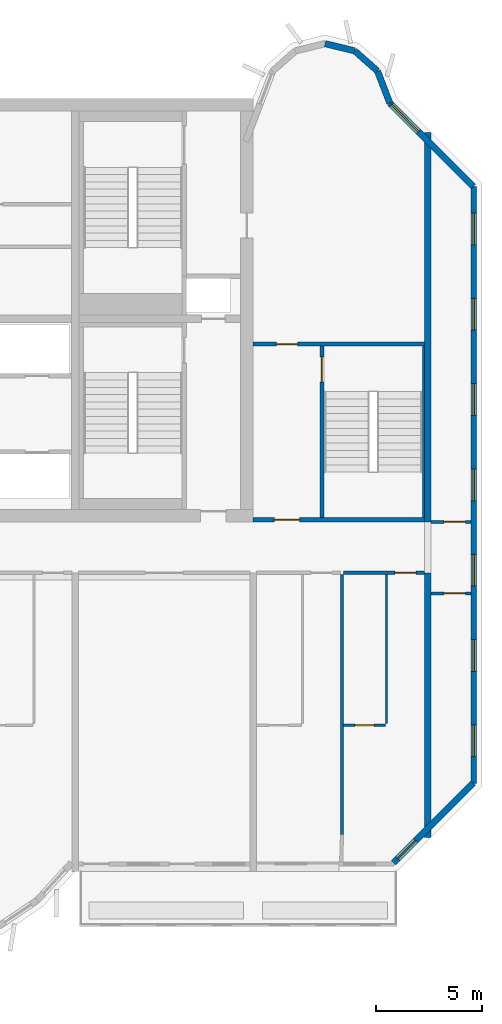
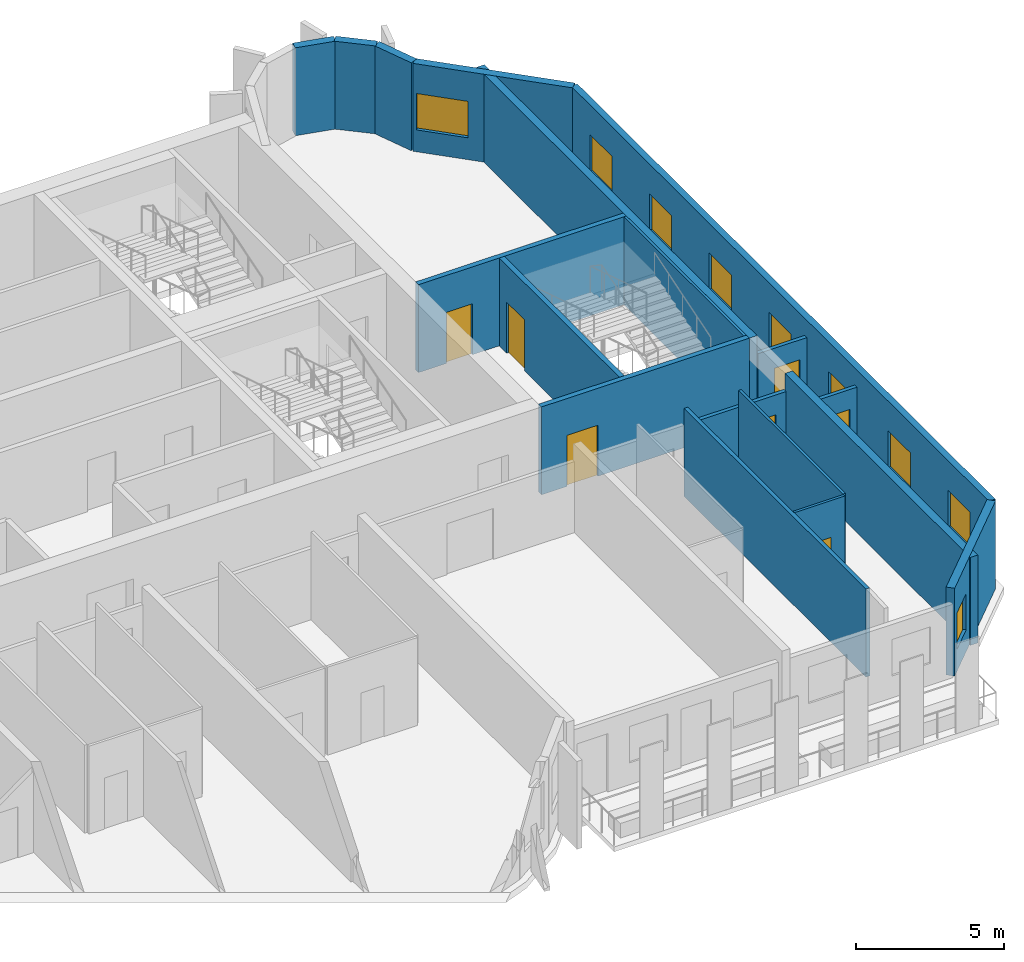
# One storey, part 8 of 11: 18 walls, 9 windows, 7 doors, 16 openings.
"""IFC4 building model written with IfcOpenShell, lengths in metres."""

import ifcopenshell
import ifcopenshell.guid

model = None  # the IFC model being written
_history = None  # IfcOwnerHistory: only IFC2X3 demands one
_inside = {}  # id of a spatial element -> (the spatial element, [elements in it])
_under = {}  # id of a project, library or spatial element -> (it, [spatial elements below it])
_declared = {}  # id of a project -> (the project, [libraries it declares])
_typed = {}  # id of a type object -> (the type object, [elements of that type])
_made_of = {}  # id of a material, layer set ... -> (it, [elements and type objects made of it])


def new_model(schema):
    """Start an empty IFC model of exactly this schema.

    Asked for "IFC4X3", IfcOpenShell would pick the latest addendum, in which some entities
    have other attributes; the version numbers below select the first issue.
    IFC2X3 requires an IfcOwnerHistory on every rooted entity: one is made here for all.
    """
    global model, _history
    if schema == "IFC4X3":
        model = ifcopenshell.file(schema_version=(4, 3, 0, 0))
    else:
        model = ifcopenshell.file(schema=schema)
    _inside.clear()
    _under.clear()
    _declared.clear()
    _typed.clear()
    _made_of.clear()
    _history = None
    if model.schema == "IFC2X3":
        org = make("IfcOrganization", Name="unknown")
        user = make(
            "IfcPersonAndOrganization",
            ThePerson=make("IfcPerson", FamilyName="unknown"),
            TheOrganization=org,
        )
        app = make(
            "IfcApplication",
            ApplicationDeveloper=org,
            Version="unknown",
            ApplicationFullName="unknown",
            ApplicationIdentifier="unknown",
        )
        _history = make(
            "IfcOwnerHistory",
            OwningUser=user,
            OwningApplication=app,
            ChangeAction="ADDED",
            CreationDate=0,
        )
    return model


def make(cls, **values):
    """One entity of the class cls with the attributes given. An attribute that is None is left unset."""
    return model.create_entity(
        cls, **{name: value for name, value in values.items() if value is not None}
    )


def rooted(cls, **values):
    """An entity with a GlobalId (a new one), such as an element, a storey or a relation."""
    return make(cls, GlobalId=ifcopenshell.guid.new(), OwnerHistory=_history, **values)


def si_unit(unit_type, name, prefix=None):
    """IfcSIUnit, for example si_unit("LENGTHUNIT", "METRE", prefix="MILLI")."""
    return make("IfcSIUnit", UnitType=unit_type, Prefix=prefix, Name=name)


def assignment(units):
    """IfcUnitAssignment: the units of a project."""
    return None if units is None else make("IfcUnitAssignment", Units=units)


def point(xyz):
    """IfcCartesianPoint."""
    return None if xyz is None else make("IfcCartesianPoint", Coordinates=xyz)


def direction(xyz):
    """IfcDirection."""
    return None if xyz is None else make("IfcDirection", DirectionRatios=xyz)


def frame(location, z_axis=None, x_axis=None):
    """IfcAxis2Placement3D, a coordinate frame: its origin and axes. An axis left out is left unset."""
    return make(
        "IfcAxis2Placement3D",
        Location=point(location),
        Axis=direction(z_axis),
        RefDirection=direction(x_axis),
    )


def frame_2d(location, x_axis=None):
    """IfcAxis2Placement2D, a coordinate frame in the plane: its origin and x axis."""
    return make(
        "IfcAxis2Placement2D", Location=point(location), RefDirection=direction(x_axis)
    )


def origin():
    """The frame at (0, 0, 0) with its axes left unset."""
    return frame((0.0, 0.0, 0.0))


def place(relative_to, where):
    """IfcLocalPlacement: puts the frame where relative to a parent placement (None: the world)."""
    return make(
        "IfcLocalPlacement", PlacementRelTo=relative_to, RelativePlacement=where
    )


def context(
    kind, dimensions, precision=None, world=None, true_north=None, identifier=None
):
    """IfcGeometricRepresentationContext, for example the 3D "Model" context."""
    return make(
        "IfcGeometricRepresentationContext",
        ContextIdentifier=identifier,
        ContextType=kind,
        CoordinateSpaceDimension=dimensions,
        Precision=precision,
        WorldCoordinateSystem=world,
        TrueNorth=true_north,
    )


def subcontext(parent, identifier, kind, view, scale=None):
    """IfcGeometricRepresentationSubContext, for example "Body" below "Model"."""
    return make(
        "IfcGeometricRepresentationSubContext",
        ContextIdentifier=identifier,
        ContextType=kind,
        ParentContext=parent,
        TargetScale=scale,
        TargetView=view,
    )


def project(units=None, contexts=None):
    """IfcProject with its units and contexts."""
    return rooted(
        "IfcProject",
        Name="project",
        RepresentationContexts=contexts,
        UnitsInContext=assignment(units),
    )


def spatial(cls, under=None, at=None, **own):
    """A site, building, storey or space (cls), placed at a placement, below another one or the project."""
    s = rooted(cls, ObjectPlacement=at, **own)
    if under is not None:
        _under.setdefault(under.id(), (under, []))[1].append(s)
    return s


def profile(cls, at=None, kind="AREA", **sizes):
    """A parametric profile (cls). Its sizes go by their IFC names, for example OverallWidth=200.0."""
    return make(cls, ProfileType=kind, Position=at, **sizes)


def rectangle(**sizes):
    """IfcRectangleProfileDef."""
    return profile("IfcRectangleProfileDef", **sizes)


def extrude(swept, where, along, depth):
    """IfcExtrudedAreaSolid: the profile swept, set in the frame where, extruded along a direction by depth."""
    return make(
        "IfcExtrudedAreaSolid",
        SweptArea=swept,
        Position=where,
        ExtrudedDirection=direction(along),
        Depth=depth,
    )


def shape(context_of_items, identifier, shape_type, items):
    """IfcShapeRepresentation: the items that make up one representation, for example the "Body"."""
    return make(
        "IfcShapeRepresentation",
        ContextOfItems=context_of_items,
        RepresentationIdentifier=identifier,
        RepresentationType=shape_type,
        Items=items,
    )


def source(mapping_origin, context_of_items, identifier, shape_type, items):
    """IfcRepresentationMap: a shape defined once, which mapped items show again and again."""
    return make(
        "IfcRepresentationMap",
        MappingOrigin=mapping_origin,
        MappedRepresentation=shape(context_of_items, identifier, shape_type, items),
    )


def transform(
    local_origin,
    x_axis=None,
    y_axis=None,
    z_axis=None,
    scale=None,
    scale2=None,
    scale3=None,
    uniform=True,
):
    """IfcCartesianTransformationOperator3D, or its non-uniform kind. x_axis, y_axis, z_axis: its Axis1, 2, 3."""
    if uniform:
        return make(
            "IfcCartesianTransformationOperator3D",
            Axis1=direction(x_axis),
            Axis2=direction(y_axis),
            LocalOrigin=point(local_origin),
            Scale=scale,
            Axis3=direction(z_axis),
        )
    return make(
        "IfcCartesianTransformationOperator3DnonUniform",
        Axis1=direction(x_axis),
        Axis2=direction(y_axis),
        LocalOrigin=point(local_origin),
        Scale=scale,
        Axis3=direction(z_axis),
        Scale2=scale2,
        Scale3=scale3,
    )


def mapped(mapping_source, mapping_target):
    """IfcMappedItem: shows the shape of a source again, moved by a transform."""
    return make(
        "IfcMappedItem", MappingSource=mapping_source, MappingTarget=mapping_target
    )


def material(Name=None, Category=None):
    """IfcMaterial."""
    return make("IfcMaterial", Name=Name, Category=Category)


def layer(
    of_material, thickness, ventilated=None, Name=None, Category=None, Priority=None
):
    """IfcMaterialLayer: one layer of a wall or slab, of a material (None: an air gap)."""
    return make(
        "IfcMaterialLayer",
        Material=of_material,
        LayerThickness=thickness,
        IsVentilated=ventilated,
        Name=Name,
        Category=Category,
        Priority=Priority,
    )


def layer_set(layers, Name=None):
    """IfcMaterialLayerSet."""
    return make("IfcMaterialLayerSet", MaterialLayers=layers, LayerSetName=Name)


def made_of(thing, what):
    """Note that an element or type object is made of a material, layer set ...; save() writes the relation."""
    if what is not None:
        _made_of.setdefault(what.id(), (what, []))[1].append(thing)
    return thing


def type_object(cls, material=None, **own):
    """A type object (cls), such as IfcWallType, which elements share."""
    return made_of(rooted(cls, **own), material)


def element(
    cls,
    number,
    at=None,
    inside=None,
    cuts=None,
    type_object=None,
    material=None,
    context=None,
    identifier="Body",
    shape_type=None,
    held_by="IfcProductDefinitionShape",
    body=None,
    shapes=None,
    **own,
):
    """One element of the class cls, such as IfcWall. Its Tag is "e" and its number.

    at: its placement. inside: the storey or other place that contains it. cuts: it is an
    opening in that element (IfcRelVoidsElement). A single representation is given by context,
    identifier, shape_type and body (its items); several are given by shapes. held_by: the class
    of the entity that holds the representations. save() writes the other relations.
    """
    e = rooted(cls, Tag="e%d" % number, ObjectPlacement=at, **own)
    if body is not None:
        shapes = [shape(context, identifier, shape_type, body)]
    if shapes is not None:
        e.Representation = make(held_by, Representations=shapes)
    if inside is not None:
        _inside.setdefault(inside.id(), (inside, []))[1].append(e)
    if cuts is not None:
        rooted(
            "IfcRelVoidsElement", RelatingBuildingElement=cuts, RelatedOpeningElement=e
        )
    if type_object is not None:
        _typed.setdefault(type_object.id(), (type_object, []))[1].append(e)
    return made_of(e, material)


def fill(opening, filler):
    """IfcRelFillsElement: the door or window that sits in an opening."""
    return rooted(
        "IfcRelFillsElement",
        RelatingOpeningElement=opening,
        RelatedBuildingElement=filler,
    )


def aggregate(whole, parts):
    """IfcRelAggregates: a whole, such as a stair, and the parts it consists of."""
    return rooted("IfcRelAggregates", RelatingObject=whole, RelatedObjects=parts)


def save(model, path):
    """Write the relations noted so far, then the file.

    IfcRelAggregates (storeys below a building ...), IfcRelContainedInSpatialStructure (elements
    in a storey), IfcRelDefinesByType, IfcRelAssociatesMaterial and IfcRelDeclares: one each for
    every whole, place, type object, material and project.
    """
    for whole, parts in _under.values():
        aggregate(whole, parts)
    for where, things in _inside.values():
        rooted(
            "IfcRelContainedInSpatialStructure",
            RelatedElements=things,
            RelatingStructure=where,
        )
    for kind, things in _typed.values():
        rooted("IfcRelDefinesByType", RelatedObjects=things, RelatingType=kind)
    for what, things in _made_of.values():
        rooted("IfcRelAssociatesMaterial", RelatedObjects=things, RelatingMaterial=what)
    for by, libraries in _declared.values():
        rooted("IfcRelDeclares", RelatingContext=by, RelatedDefinitions=libraries)
    model.write(path)


model = new_model("IFC4")

# Units and contexts
model_context = context("Model", 3, precision=1e-05, world=origin(), true_north=direction((0.0, 1.0)))
body_context = subcontext(model_context, "Body", "Model", "MODEL_VIEW")
ifc_project = project(units=[si_unit("LENGTHUNIT", "METRE"), si_unit("AREAUNIT", "SQUARE_METRE"), si_unit("VOLUMEUNIT", "CUBIC_METRE"), si_unit("PLANEANGLEUNIT", "RADIAN"), si_unit("MASSUNIT", "GRAM", prefix="KILO")], contexts=[model_context])

# Site, building, storey
site_placement = place(None, origin())
site = spatial("IfcSite", under=ifc_project, at=site_placement, CompositionType="ELEMENT")
building_placement = place(site_placement, origin())
building = spatial("IfcBuilding", under=site, at=building_placement, Name="Vanashikhar Sky Hotel", CompositionType="ELEMENT")
storey_placement = place(building_placement, frame((0.0, 0.0, 225.699951171875)))
storey = spatial("IfcBuildingStorey", under=building, at=storey_placement, Name="L54", CompositionType="ELEMENT", Elevation=225.699951171875)

# Walls
ifc_material_1 = material(Name="Concrete M60", Category="concrete")
ifc_layer_1 = layer(ifc_material_1, 0.300048828125)
ifc_layer_set_1 = layer_set([ifc_layer_1], Name="RC shear wall 300 Concrete M60")
wall_type_1 = type_object("IfcWallType", Name="RC shear wall 300 Concrete M60", PredefinedType="SHEAR", material=ifc_layer_set_1)
shared_shape_1 = source(origin(), body_context, "Body", "SweptSolid", [
    extrude(rectangle(XDim=12.5, YDim=0.300048828125, at=frame_2d((6.25, 0.0))), origin(), (0.0, 0.0, 1.0), 3.6201171875),
])
wall_1_placement = place(storey_placement, frame((83.85009765625, 7.10009765625, 0.0), z_axis=(0.0, 0.0, 1.0), x_axis=(0.0, 1.0, 0.0)))
element("IfcWall", 1, at=wall_1_placement, inside=storey, type_object=wall_type_1, Name="CW-L54-XW11-1", PredefinedType="SHEAR", context=body_context, shape_type="MappedRepresentation", body=[
    mapped(shared_shape_1, transform((0.0, 0.0, 0.0), scale=1.0)),
])
shared_shape_2 = source(origin(), body_context, "Body", "SweptSolid", [
    extrude(rectangle(XDim=18.39990234375, YDim=0.300048828125, at=frame_2d((9.199951171875, 0.0))), origin(), (0.0, 0.0, 1.0), 3.6201171875),
])
wall_2_placement = place(storey_placement, frame((83.85009765625, 22.0, 0.0), z_axis=(0.0, 0.0, 1.0), x_axis=(0.0, 1.0, 0.0)))
element("IfcWall", 2, at=wall_2_placement, inside=storey, type_object=wall_type_1, Name="CW-L54-XW11-2", PredefinedType="SHEAR", context=body_context, shape_type="MappedRepresentation", body=[
    mapped(shared_shape_2, transform((0.0, 0.0, 0.0), scale=1.0)),
])

# Wall, opening, window
ifc_material_2 = material(Name="Concrete M50", Category="concrete")
ifc_layer_2 = layer(ifc_material_2, 0.300048828125)
ifc_layer_set_2 = layer_set([ifc_layer_2], Name="Lobe wall 300")
wall_type_2 = type_object("IfcWallType", Name="Lobe wall 300", PredefinedType="SOLIDWALL", material=ifc_layer_set_2)
shared_shape_3 = source(origin(), body_context, "Body", "SweptSolid", [
    extrude(rectangle(XDim=5.32568359375, YDim=0.300048828125, at=frame_2d((2.662841796875, 0.0))), origin(), (0.0, 0.0, 1.0), 3.6201171875),
])
wall_3_placement = place(storey_placement, frame((82.234375, 5.89990234375, 0.0), z_axis=(0.0, 0.0, 1.0), x_axis=(0.707083859269, 0.707129702361, 0.0)))
wall_3 = element("IfcWall", 3, at=wall_3_placement, inside=storey, type_object=wall_type_2, Name="Corner wall", PredefinedType="SOLIDWALL", context=body_context, shape_type="MappedRepresentation", body=[
    mapped(shared_shape_3, transform((0.0, 0.0, 0.0), scale=1.0)),
])
shared_shape_4 = source(origin(), body_context, "Body", "SweptSolid", [
    extrude(rectangle(XDim=1.199951171875, YDim=1.5, at=frame_2d((0.60009765625, 0.75))), frame((0.0, 0.16015625, 0.0), z_axis=(0.0, -1.0, 0.0), x_axis=(1.0, 0.0, 0.0)), (0.0, 0.0, 1.0), 0.320068359375),
])
opening_1_placement = place(wall_3_placement, frame((0.29248046875, 0.0, 0.89990234375)))
opening_1 = element("IfcOpeningElement", 4, at=opening_1_placement, cuts=wall_3, Name="Opening WN-3", PredefinedType="OPENING", context=body_context, shape_type="MappedRepresentation", body=[
    mapped(shared_shape_4, transform((0.0, 0.0, 0.0), scale=1.0)),
])
ifc_material_3 = material(Name="Glass", Category="glass")
window_type_1 = type_object("IfcWindowType", Name="Corridor end window 1200 x 1500", PartitioningType="SINGLE_PANEL", PredefinedType="WINDOW", material=ifc_material_3)
shared_shape_5 = source(origin(), body_context, "Body", "SweptSolid", [
    extrude(rectangle(XDim=1.199951171875, YDim=1.5, at=frame_2d((0.60009765625, 0.75))), frame((0.0, 0.030029296875, 0.0), z_axis=(0.0, -1.0, 0.0), x_axis=(1.0, 0.0, 0.0)), (0.0, 0.0, 1.0), 0.06005859375),
])
window_1_placement = place(opening_1_placement, origin())
window_1 = element("IfcWindow", 5, at=window_1_placement, inside=storey, type_object=window_type_1, Name="Window WN-3", OverallHeight=1.5, OverallWidth=1.199951171875, PartitioningType="SINGLE_PANEL", PredefinedType="WINDOW", context=body_context, shape_type="MappedRepresentation", body=[
    mapped(shared_shape_5, transform((0.0, 0.0, 0.0), scale=1.0)),
])
fill(opening_1, window_1)

shared_shape_6 = source(origin(), body_context, "Body", "SweptSolid", [
    extrude(rectangle(XDim=5.576416015625, YDim=0.300048828125, at=frame_2d((2.7880859375, 0.0))), origin(), (0.0, 0.0, 1.0), 3.6201171875),
])
wall_4_placement = place(storey_placement, frame((86.0, 37.834228515625, 0.0), z_axis=(0.0, 0.0, 1.0), x_axis=(-0.707106781187, 0.707106781187, 0.0)))
wall_4 = element("IfcWall", 6, at=wall_4_placement, inside=storey, type_object=wall_type_2, Name="Corner wall", PredefinedType="SOLIDWALL", context=body_context, shape_type="MappedRepresentation", body=[
    mapped(shared_shape_6, transform((0.0, 0.0, 0.0), scale=1.0)),
])
shared_shape_7 = source(origin(), body_context, "Body", "SweptSolid", [
    extrude(rectangle(XDim=1.800048828125, YDim=1.5, at=frame_2d((0.89990234375, 0.75))), frame((0.0, 0.16015625, 0.0), z_axis=(0.0, -1.0, 0.0), x_axis=(1.0, 0.0, 0.0)), (0.0, 0.0, 1.0), 0.320068359375),
])
opening_2_placement = place(wall_4_placement, frame((3.658447265625, 0.0, 0.89990234375)))
opening_2 = element("IfcOpeningElement", 7, at=opening_2_placement, cuts=wall_4, Name="Opening WN-4", PredefinedType="OPENING", context=body_context, shape_type="MappedRepresentation", body=[
    mapped(shared_shape_7, transform((0.0, 0.0, 0.0), scale=1.0)),
])
window_type_2 = type_object("IfcWindowType", Name="Corner window 1800 x 1500", PartitioningType="SINGLE_PANEL", PredefinedType="WINDOW", material=ifc_material_3)
shared_shape_8 = source(origin(), body_context, "Body", "SweptSolid", [
    extrude(rectangle(XDim=1.800048828125, YDim=1.5, at=frame_2d((0.89990234375, 0.75))), frame((0.0, 0.030029296875, 0.0), z_axis=(0.0, -1.0, 0.0), x_axis=(1.0, 0.0, 0.0)), (0.0, 0.0, 1.0), 0.06005859375),
])
window_2_placement = place(opening_2_placement, origin())
window_2 = element("IfcWindow", 8, at=window_2_placement, inside=storey, type_object=window_type_2, Name="Window WN-4", OverallHeight=1.5, OverallWidth=1.800048828125, PartitioningType="SINGLE_PANEL", PredefinedType="WINDOW", context=body_context, shape_type="MappedRepresentation", body=[
    mapped(shared_shape_8, transform((0.0, 0.0, 0.0), scale=1.0)),
])
fill(opening_2, window_2)

# Walls
shared_shape_9 = source(origin(), body_context, "Body", "SweptSolid", [
    extrude(rectangle(XDim=1.6220703125, YDim=0.300048828125, at=frame_2d((0.81103515625, 0.0))), origin(), (0.0, 0.0, 1.0), 3.6201171875),
])
wall_5_placement = place(storey_placement, frame((82.056884765625, 41.77734375, 0.0), z_axis=(0.0, 0.0, 1.0), x_axis=(-0.357778527068, 0.933806471154, 0.0)))
element("IfcWall", 9, at=wall_5_placement, inside=storey, type_object=wall_type_2, Name="Lobe wall", PredefinedType="SOLIDWALL", context=body_context, shape_type="MappedRepresentation", body=[
    mapped(shared_shape_9, transform((0.0, 0.0, 0.0), scale=1.0)),
])
shared_shape_10 = source(origin(), body_context, "Body", "SweptSolid", [
    extrude(rectangle(XDim=1.43994140625, YDim=0.300048828125, at=frame_2d((0.719970703125, 0.0))), origin(), (0.0, 0.0, 1.0), 3.6201171875),
])
wall_6_placement = place(storey_placement, frame((81.4765625, 43.2919921875, 0.0), z_axis=(0.0, 0.0, 1.0), x_axis=(-0.74957555648, 0.661918790432, 0.0)))
element("IfcWall", 10, at=wall_6_placement, inside=storey, type_object=wall_type_2, Name="Lobe wall", PredefinedType="SOLIDWALL", context=body_context, shape_type="MappedRepresentation", body=[
    mapped(shared_shape_10, transform((0.0, 0.0, 0.0), scale=1.0)),
])
shared_shape_11 = source(origin(), body_context, "Body", "SweptSolid", [
    extrude(rectangle(XDim=1.438720703125, YDim=0.300048828125, at=frame_2d((0.71923828125, 0.0))), origin(), (0.0, 0.0, 1.0), 3.6201171875),
])
wall_7_placement = place(storey_placement, frame((80.397216796875, 44.2451171875, 0.0), z_axis=(0.0, 0.0, 1.0), x_axis=(-0.971161932466, 0.238420848351, 0.0)))
element("IfcWall", 11, at=wall_7_placement, inside=storey, type_object=wall_type_2, Name="Lobe wall", PredefinedType="SOLIDWALL", context=body_context, shape_type="MappedRepresentation", body=[
    mapped(shared_shape_11, transform((0.0, 0.0, 0.0), scale=1.0)),
])

# Wall, openings, windows
ifc_layer_3 = layer(ifc_material_2, 0.25)
ifc_layer_set_3 = layer_set([ifc_layer_3], Name="Rear and end board-marked wall 250")
wall_type_3 = type_object("IfcWallType", Name="Rear and end board-marked wall 250", PredefinedType="SOLIDWALL", material=ifc_layer_set_3)
shared_shape_12 = source(origin(), body_context, "Body", "SweptSolid", [
    extrude(rectangle(XDim=28.189453125, YDim=0.25, at=frame_2d((14.0947265625, 0.0))), origin(), (0.0, 0.0, 1.0), 3.6201171875),
])
wall_8_placement = place(storey_placement, frame((86.02490234375, 9.6552734375, 0.0), z_axis=(0.0, 0.0, 1.0), x_axis=(0.0, 1.0, 0.0)))
wall_8 = element("IfcWall", 12, at=wall_8_placement, inside=storey, type_object=wall_type_3, Name="End board-marked wall", PredefinedType="SOLIDWALL", context=body_context, shape_type="MappedRepresentation", body=[
    mapped(shared_shape_12, transform((0.0, 0.0, 0.0), scale=1.0)),
])
shared_shape_13 = source(origin(), body_context, "Body", "SweptSolid", [
    extrude(rectangle(XDim=1.5, YDim=1.5, at=frame_2d((0.75, 0.75))), frame((0.0, 0.135009765625, 0.0), z_axis=(0.0, -1.0, 0.0), x_axis=(1.0, 0.0, 0.0)), (0.0, 0.0, 1.0), 0.27001953125),
])
opening_3_placement = place(wall_8_placement, frame((1.263427734375, 0.0, 0.89990234375)))
opening_3 = element("IfcOpeningElement", 13, at=opening_3_placement, cuts=wall_8, Name="Opening WN-1", PredefinedType="OPENING", context=body_context, shape_type="MappedRepresentation", body=[
    mapped(shared_shape_13, transform((0.0, 0.0, 0.0), scale=1.0)),
])
opening_4_placement = place(wall_8_placement, frame((5.29052734375, 0.0, 0.89990234375)))
opening_4 = element("IfcOpeningElement", 14, at=opening_4_placement, cuts=wall_8, Name="Opening WN-1", PredefinedType="OPENING", context=body_context, shape_type="MappedRepresentation", body=[
    mapped(shared_shape_13, transform((0.0, 0.0, 0.0), scale=1.0)),
])
opening_5_placement = place(wall_8_placement, frame((9.317626953125, 0.0, 0.89990234375)))
opening_5 = element("IfcOpeningElement", 15, at=opening_5_placement, cuts=wall_8, Name="Opening WN-1", PredefinedType="OPENING", context=body_context, shape_type="MappedRepresentation", body=[
    mapped(shared_shape_13, transform((0.0, 0.0, 0.0), scale=1.0)),
])
opening_6_placement = place(wall_8_placement, frame((13.3447265625, 0.0, 0.89990234375)))
opening_6 = element("IfcOpeningElement", 16, at=opening_6_placement, cuts=wall_8, Name="Opening WN-1", PredefinedType="OPENING", context=body_context, shape_type="MappedRepresentation", body=[
    mapped(shared_shape_13, transform((0.0, 0.0, 0.0), scale=1.0)),
])
opening_7_placement = place(wall_8_placement, frame((17.371826171875, 0.0, 0.89990234375)))
opening_7 = element("IfcOpeningElement", 17, at=opening_7_placement, cuts=wall_8, Name="Opening WN-1", PredefinedType="OPENING", context=body_context, shape_type="MappedRepresentation", body=[
    mapped(shared_shape_13, transform((0.0, 0.0, 0.0), scale=1.0)),
])
opening_8_placement = place(wall_8_placement, frame((21.398681640625, 0.0, 0.89990234375)))
opening_8 = element("IfcOpeningElement", 18, at=opening_8_placement, cuts=wall_8, Name="Opening WN-1", PredefinedType="OPENING", context=body_context, shape_type="MappedRepresentation", body=[
    mapped(shared_shape_13, transform((0.0, 0.0, 0.0), scale=1.0)),
])
opening_9_placement = place(wall_8_placement, frame((25.42578125, 0.0, 0.89990234375)))
opening_9 = element("IfcOpeningElement", 19, at=opening_9_placement, cuts=wall_8, Name="Opening WN-1", PredefinedType="OPENING", context=body_context, shape_type="MappedRepresentation", body=[
    mapped(shared_shape_13, transform((0.0, 0.0, 0.0), scale=1.0)),
])
window_type_3 = type_object("IfcWindowType", Name="Window 1500 x 1500", PartitioningType="SINGLE_PANEL", PredefinedType="WINDOW", material=ifc_material_3)
shared_shape_14 = source(origin(), body_context, "Body", "SweptSolid", [
    extrude(rectangle(XDim=1.5, YDim=1.5, at=frame_2d((0.75, 0.75))), frame((0.0, 0.030029296875, 0.0), z_axis=(0.0, -1.0, 0.0), x_axis=(1.0, 0.0, 0.0)), (0.0, 0.0, 1.0), 0.06005859375),
])
window_3_placement = place(opening_3_placement, origin())
window_3 = element("IfcWindow", 20, at=window_3_placement, inside=storey, type_object=window_type_3, Name="Window WN-1", OverallHeight=1.5, OverallWidth=1.5, PartitioningType="SINGLE_PANEL", PredefinedType="WINDOW", context=body_context, shape_type="MappedRepresentation", body=[
    mapped(shared_shape_14, transform((0.0, 0.0, 0.0), scale=1.0)),
])
fill(opening_3, window_3)
window_4_placement = place(opening_4_placement, origin())
window_4 = element("IfcWindow", 21, at=window_4_placement, inside=storey, type_object=window_type_3, Name="Window WN-1", OverallHeight=1.5, OverallWidth=1.5, PartitioningType="SINGLE_PANEL", PredefinedType="WINDOW", context=body_context, shape_type="MappedRepresentation", body=[
    mapped(shared_shape_14, transform((0.0, 0.0, 0.0), scale=1.0)),
])
fill(opening_4, window_4)
window_5_placement = place(opening_5_placement, origin())
window_5 = element("IfcWindow", 22, at=window_5_placement, inside=storey, type_object=window_type_3, Name="Window WN-1", OverallHeight=1.5, OverallWidth=1.5, PartitioningType="SINGLE_PANEL", PredefinedType="WINDOW", context=body_context, shape_type="MappedRepresentation", body=[
    mapped(shared_shape_14, transform((0.0, 0.0, 0.0), scale=1.0)),
])
fill(opening_5, window_5)
window_6_placement = place(opening_6_placement, origin())
window_6 = element("IfcWindow", 23, at=window_6_placement, inside=storey, type_object=window_type_3, Name="Window WN-1", OverallHeight=1.5, OverallWidth=1.5, PartitioningType="SINGLE_PANEL", PredefinedType="WINDOW", context=body_context, shape_type="MappedRepresentation", body=[
    mapped(shared_shape_14, transform((0.0, 0.0, 0.0), scale=1.0)),
])
fill(opening_6, window_6)
window_7_placement = place(opening_7_placement, origin())
window_7 = element("IfcWindow", 24, at=window_7_placement, inside=storey, type_object=window_type_3, Name="Window WN-1", OverallHeight=1.5, OverallWidth=1.5, PartitioningType="SINGLE_PANEL", PredefinedType="WINDOW", context=body_context, shape_type="MappedRepresentation", body=[
    mapped(shared_shape_14, transform((0.0, 0.0, 0.0), scale=1.0)),
])
fill(opening_7, window_7)
window_8_placement = place(opening_8_placement, origin())
window_8 = element("IfcWindow", 25, at=window_8_placement, inside=storey, type_object=window_type_3, Name="Window WN-1", OverallHeight=1.5, OverallWidth=1.5, PartitioningType="SINGLE_PANEL", PredefinedType="WINDOW", context=body_context, shape_type="MappedRepresentation", body=[
    mapped(shared_shape_14, transform((0.0, 0.0, 0.0), scale=1.0)),
])
fill(opening_8, window_8)
window_9_placement = place(opening_9_placement, origin())
window_9 = element("IfcWindow", 26, at=window_9_placement, inside=storey, type_object=window_type_3, Name="Window WN-1", OverallHeight=1.5, OverallWidth=1.5, PartitioningType="SINGLE_PANEL", PredefinedType="WINDOW", context=body_context, shape_type="MappedRepresentation", body=[
    mapped(shared_shape_14, transform((0.0, 0.0, 0.0), scale=1.0)),
])
fill(opening_9, window_9)

# Wall, opening, door
ifc_layer_4 = layer(ifc_material_2, 0.199951171875)
ifc_layer_set_4 = layer_set([ifc_layer_4], Name="Stair wall 200")
wall_type_4 = type_object("IfcWallType", Name="Stair wall 200", PredefinedType="SOLIDWALL", material=ifc_layer_set_4)
shared_shape_15 = source(origin(), body_context, "Body", "SweptSolid", [
    extrude(rectangle(XDim=8.2998046875, YDim=0.199951171875, at=frame_2d((4.14990234375, 0.0))), origin(), (0.0, 0.0, 1.0), 3.6201171875),
])
wall_9_placement = place(storey_placement, frame((78.85009765625, 22.10009765625, 0.0), z_axis=(0.0, 0.0, 1.0), x_axis=(0.0, 1.0, 0.0)))
wall_9 = element("IfcWall", 27, at=wall_9_placement, inside=storey, type_object=wall_type_4, Name="Stair wall 200", PredefinedType="SOLIDWALL", context=body_context, shape_type="MappedRepresentation", body=[
    mapped(shared_shape_15, transform((0.0, 0.0, 0.0), scale=1.0)),
])
shared_shape_16 = source(origin(), body_context, "Body", "SweptSolid", [
    extrude(rectangle(XDim=1.199951171875, YDim=2.10009765625, at=frame_2d((0.60009765625, 1.050048828125))), frame((0.0, 0.10986328125, 0.0), z_axis=(0.0, -1.0, 0.0), x_axis=(1.0, 0.0, 0.0)), (0.0, 0.0, 1.0), 0.219970703125),
])
opening_10_placement = place(wall_9_placement, frame((6.5, 0.0, 0.0)))
opening_10 = element("IfcOpeningElement", 28, at=opening_10_placement, cuts=wall_9, Name="Opening DC-1", PredefinedType="OPENING", context=body_context, shape_type="MappedRepresentation", body=[
    mapped(shared_shape_16, transform((0.0, 0.0, 0.0), scale=1.0)),
])
ifc_material_4 = material(Name="Steel", Category="steel")
door_type_1 = type_object("IfcDoorType", Name="Stair door 1200 FD120", OperationType="NOTDEFINED", PredefinedType="DOOR", material=ifc_material_4)
shared_shape_17 = source(origin(), body_context, "Body", "SweptSolid", [
    extrude(rectangle(XDim=1.199951171875, YDim=2.10009765625, at=frame_2d((0.60009765625, 1.050048828125))), frame((0.0, 0.02490234375, 0.0), z_axis=(0.0, -1.0, 0.0), x_axis=(1.0, 0.0, 0.0)), (0.0, 0.0, 1.0), 0.050048828125),
])
door_1_placement = place(opening_10_placement, origin())
door_1 = element("IfcDoor", 29, at=door_1_placement, inside=storey, type_object=door_type_1, Name="Stair door 1200 FD120", OperationType="SINGLE_SWING_LEFT", OverallHeight=2.10009765625, OverallWidth=1.199951171875, PredefinedType="DOOR", context=body_context, shape_type="MappedRepresentation", body=[
    mapped(shared_shape_17, transform((0.0, 0.0, 0.0), scale=1.0)),
])
fill(opening_10, door_1)

shared_shape_18 = source(origin(), body_context, "Body", "SweptSolid", [
    extrude(rectangle(XDim=8.099853515625, YDim=0.199951171875, at=frame_2d((4.0498046875, 0.0))), origin(), (0.0, 0.0, 1.0), 3.6201171875),
])
wall_10_placement = place(storey_placement, frame((83.699951171875, 22.10009765625, 0.0), z_axis=(0.0, 0.0, 1.0), x_axis=(-1.0, 0.0, 0.0)))
wall_10 = element("IfcWall", 30, at=wall_10_placement, inside=storey, type_object=wall_type_4, Name="Stair wall 200", PredefinedType="SOLIDWALL", context=body_context, shape_type="MappedRepresentation", body=[
    mapped(shared_shape_18, transform((0.0, 0.0, 0.0), scale=1.0)),
])
opening_11_placement = place(wall_10_placement, frame((5.89990234375, 0.0, 0.0)))
opening_11 = element("IfcOpeningElement", 31, at=opening_11_placement, cuts=wall_10, Name="Opening DC-2", PredefinedType="OPENING", context=body_context, shape_type="MappedRepresentation", body=[
    mapped(shared_shape_16, transform((0.0, 0.0, 0.0), scale=1.0)),
])
door_type_2 = type_object("IfcDoorType", Name="Firefighting lobby door 1200 FD120", OperationType="NOTDEFINED", PredefinedType="DOOR", material=ifc_material_4)
door_2_placement = place(opening_11_placement, origin())
door_2 = element("IfcDoor", 32, at=door_2_placement, inside=storey, type_object=door_type_2, Name="Firefighting lobby door 1200 FD120", OperationType="SINGLE_SWING_LEFT", OverallHeight=2.10009765625, OverallWidth=1.199951171875, PredefinedType="DOOR", context=body_context, shape_type="MappedRepresentation", body=[
    mapped(shared_shape_17, transform((0.0, 0.0, 0.0), scale=1.0)),
])
fill(opening_11, door_2)

wall_11_placement = place(storey_placement, frame((83.699951171875, 30.39990234375, 0.0), z_axis=(0.0, 0.0, 1.0), x_axis=(-1.0, 0.0, 0.0)))
wall_11 = element("IfcWall", 33, at=wall_11_placement, inside=storey, type_object=wall_type_4, Name="Stair wall 200", PredefinedType="SOLIDWALL", context=body_context, shape_type="MappedRepresentation", body=[
    mapped(shared_shape_18, transform((0.0, 0.0, 0.0), scale=1.0)),
])
shared_shape_19 = source(origin(), body_context, "Body", "SweptSolid", [
    extrude(rectangle(XDim=1.0, YDim=2.10009765625, at=frame_2d((0.5, 1.050048828125))), frame((0.0, 0.10986328125, 0.0), z_axis=(0.0, -1.0, 0.0), x_axis=(1.0, 0.0, 0.0)), (0.0, 0.0, 1.0), 0.219970703125),
])
opening_12_placement = place(wall_11_placement, frame((6.0, 0.0, 0.0)))
opening_12 = element("IfcOpeningElement", 34, at=opening_12_placement, cuts=wall_11, Name="Opening DC-6", PredefinedType="OPENING", context=body_context, shape_type="MappedRepresentation", body=[
    mapped(shared_shape_19, transform((0.0, 0.0, 0.0), scale=1.0)),
])
door_type_3 = type_object("IfcDoorType", Name="Pocket door 1000 FD60", OperationType="NOTDEFINED", PredefinedType="DOOR", material=ifc_material_4)
shared_shape_20 = source(origin(), body_context, "Body", "SweptSolid", [
    extrude(rectangle(XDim=1.0, YDim=2.10009765625, at=frame_2d((0.5, 1.050048828125))), frame((0.0, 0.02490234375, 0.0), z_axis=(0.0, -1.0, 0.0), x_axis=(1.0, 0.0, 0.0)), (0.0, 0.0, 1.0), 0.050048828125),
])
door_3_placement = place(opening_12_placement, origin())
door_3 = element("IfcDoor", 35, at=door_3_placement, inside=storey, type_object=door_type_3, Name="Pocket door 1000 FD60", OperationType="SINGLE_SWING_LEFT", OverallHeight=2.10009765625, OverallWidth=1.0, PredefinedType="DOOR", context=body_context, shape_type="MappedRepresentation", body=[
    mapped(shared_shape_20, transform((0.0, 0.0, 0.0), scale=1.0)),
])
fill(opening_12, door_3)

# Walls
ifc_layer_5 = layer(ifc_material_2, 0.10009765625)
ifc_layer_set_5 = layer_set([ifc_layer_5], Name="Stair infill wall 100")
wall_type_5 = type_object("IfcWallType", Name="Stair infill wall 100", PredefinedType="SOLIDWALL", material=ifc_layer_set_5)
shared_shape_21 = source(origin(), body_context, "Body", "SweptSolid", [
    extrude(rectangle(XDim=8.10009765625, YDim=0.10009765625, at=frame_2d((4.050048828125, 0.0))), origin(), (0.0, 0.0, 1.0), 3.6201171875),
])
wall_12_placement = place(storey_placement, frame((83.64990234375, 22.199951171875, 0.0), z_axis=(0.0, 0.0, 1.0), x_axis=(0.0, 1.0, 0.0)))
element("IfcWall", 36, at=wall_12_placement, inside=storey, type_object=wall_type_5, Name="Stair infill wall 100", PredefinedType="SOLIDWALL", context=body_context, shape_type="MappedRepresentation", body=[
    mapped(shared_shape_21, transform((0.0, 0.0, 0.0), scale=1.0)),
])
ifc_material_5 = material(Name="Gypsum plasterboard partition")
ifc_layer_6 = layer(ifc_material_5, 0.10009765625)
ifc_layer_set_6 = layer_set([ifc_layer_6], Name="Wet room partition 100")
wall_type_6 = type_object("IfcWallType", Name="Wet room partition 100", PredefinedType="PARTITIONING", material=ifc_layer_set_6)
shared_shape_22 = source(origin(), body_context, "Body", "SweptSolid", [
    extrude(rectangle(XDim=7.0498046875, YDim=0.10009765625, at=frame_2d((3.52490234375, 0.0))), origin(), (0.0, 0.0, 1.0), 3.6201171875),
])
wall_13_placement = place(storey_placement, frame((81.89990234375, 12.47509765625, 0.0), z_axis=(0.0, 0.0, 1.0), x_axis=(0.0, 1.0, 0.0)))
element("IfcWall", 37, at=wall_13_placement, inside=storey, type_object=wall_type_6, Name="W-L54-PW043", PredefinedType="PARTITIONING", context=body_context, shape_type="MappedRepresentation", body=[
    mapped(shared_shape_22, transform((0.0, 0.0, 0.0), scale=1.0)),
])

# Wall, opening, door
shared_shape_23 = source(origin(), body_context, "Body", "SweptSolid", [
    extrude(rectangle(XDim=1.97509765625, YDim=0.10009765625, at=frame_2d((0.987548828125, 0.0))), origin(), (0.0, 0.0, 1.0), 3.6201171875),
])
wall_14_placement = place(storey_placement, frame((79.875, 12.39990234375, 0.0), z_axis=(0.0, 0.0, 1.0), x_axis=(1.0, 0.0, 0.0)))
wall_14 = element("IfcWall", 38, at=wall_14_placement, inside=storey, type_object=wall_type_6, Name="W-L54-PW044", PredefinedType="PARTITIONING", context=body_context, shape_type="MappedRepresentation", body=[
    mapped(shared_shape_23, transform((0.0, 0.0, 0.0), scale=1.0)),
])
shared_shape_24 = source(origin(), body_context, "Body", "SweptSolid", [
    extrude(rectangle(XDim=0.89990234375, YDim=2.10009765625, at=frame_2d((0.449951171875, 1.050048828125))), frame((0.0, 0.06005859375, 0.0), z_axis=(0.0, -1.0, 0.0), x_axis=(1.0, 0.0, 0.0)), (0.0, 0.0, 1.0), 0.1201171875),
])
opening_13_placement = place(wall_14_placement, frame((0.5380859375, 0.0, 0.0)))
opening_13 = element("IfcOpeningElement", 39, at=opening_13_placement, cuts=wall_14, Name="Opening D-02", PredefinedType="OPENING", context=body_context, shape_type="MappedRepresentation", body=[
    mapped(shared_shape_24, transform((0.0, 0.0, 0.0), scale=1.0)),
])
ifc_material_6 = material(Name="Timber door", Category="wood")
door_type_4 = type_object("IfcDoorType", Name="Internal door 900", OperationType="NOTDEFINED", PredefinedType="DOOR", material=ifc_material_6)
shared_shape_25 = source(origin(), body_context, "Body", "SweptSolid", [
    extrude(rectangle(XDim=0.89990234375, YDim=2.10009765625, at=frame_2d((0.449951171875, 1.050048828125))), frame((0.0, 0.02490234375, 0.0), z_axis=(0.0, -1.0, 0.0), x_axis=(1.0, 0.0, 0.0)), (0.0, 0.0, 1.0), 0.050048828125),
])
door_4_placement = place(opening_13_placement, origin())
door_4 = element("IfcDoor", 40, at=door_4_placement, inside=storey, type_object=door_type_4, Name="D-L54-026", OperationType="SINGLE_SWING_RIGHT", OverallHeight=2.10009765625, OverallWidth=0.89990234375, PredefinedType="DOOR", context=body_context, shape_type="MappedRepresentation", body=[
    mapped(shared_shape_25, transform((0.0, 0.0, 0.0), scale=1.0)),
])
fill(opening_13, door_4)

# Wall
ifc_layer_7 = layer(ifc_material_5, 0.14990234375)
ifc_layer_set_7 = layer_set([ifc_layer_7], Name="Corridor and demising partition 150")
wall_type_7 = type_object("IfcWallType", Name="Corridor and demising partition 150", PredefinedType="PARTITIONING", material=ifc_layer_set_7)
shared_shape_26 = source(origin(), body_context, "Body", "SweptSolid", [
    extrude(rectangle(XDim=12.27490234375, YDim=0.14990234375, at=frame_2d((6.137451171875, 0.0))), origin(), (0.0, 0.0, 1.0), 3.6201171875),
])
wall_15_placement = place(storey_placement, frame((79.800048828125, 7.25, 0.0), z_axis=(0.0, 0.0, 1.0), x_axis=(0.0, 1.0, 0.0)))
element("IfcWall", 41, at=wall_15_placement, inside=storey, type_object=wall_type_7, Name="W-L54-PW046", PredefinedType="PARTITIONING", context=body_context, shape_type="MappedRepresentation", body=[
    mapped(shared_shape_26, transform((0.0, 0.0, 0.0), scale=1.0)),
])

# Wall, opening, door
shared_shape_27 = source(origin(), body_context, "Body", "SweptSolid", [
    extrude(rectangle(XDim=3.824951171875, YDim=0.14990234375, at=frame_2d((1.91259765625, 0.0))), origin(), (0.0, 0.0, 1.0), 2.920166015625),
])
wall_16_placement = place(storey_placement, frame((79.875, 19.60009765625, 0.0), z_axis=(0.0, 0.0, 1.0), x_axis=(1.0, 0.0, 0.0)))
wall_16 = element("IfcWall", 42, at=wall_16_placement, inside=storey, type_object=wall_type_7, Name="W-L54-PW045", PredefinedType="PARTITIONING", context=body_context, shape_type="MappedRepresentation", body=[
    mapped(shared_shape_27, transform((0.0, 0.0, 0.0), scale=1.0)),
])
shared_shape_28 = source(origin(), body_context, "Body", "SweptSolid", [
    extrude(rectangle(XDim=1.0, YDim=2.10009765625, at=frame_2d((0.5, 1.050048828125))), frame((0.0, 0.0849609375, 0.0), z_axis=(0.0, -1.0, 0.0), x_axis=(1.0, 0.0, 0.0)), (0.0, 0.0, 1.0), 0.169921875),
])
opening_14_placement = place(wall_16_placement, frame((2.425048828125, 0.0, 0.0)))
opening_14 = element("IfcOpeningElement", 43, at=opening_14_placement, cuts=wall_16, Name="Opening D-01", PredefinedType="OPENING", context=body_context, shape_type="MappedRepresentation", body=[
    mapped(shared_shape_28, transform((0.0, 0.0, 0.0), scale=1.0)),
])
ifc_material_7 = material(Name="Timber fire door", Category="wood")
door_type_5 = type_object("IfcDoorType", Name="Guest entry door 1000 FD30S", OperationType="NOTDEFINED", PredefinedType="DOOR", material=ifc_material_7)
door_5_placement = place(opening_14_placement, origin())
door_5 = element("IfcDoor", 44, at=door_5_placement, inside=storey, type_object=door_type_5, Name="D-L54-027", OperationType="SINGLE_SWING_RIGHT", OverallHeight=2.10009765625, OverallWidth=1.0, PredefinedType="DOOR", context=body_context, shape_type="MappedRepresentation", body=[
    mapped(shared_shape_20, transform((0.0, 0.0, 0.0), scale=1.0)),
])
fill(opening_14, door_5)

shared_shape_29 = source(origin(), body_context, "Body", "SweptSolid", [
    extrude(rectangle(XDim=1.89990234375, YDim=0.14990234375, at=frame_2d((0.949951171875, 0.0))), origin(), (0.0, 0.0, 1.0), 2.920166015625),
])
wall_17_placement = place(storey_placement, frame((84.0, 22.0, 0.0), z_axis=(0.0, 0.0, 1.0), x_axis=(1.0, 0.0, 0.0)))
wall_17 = element("IfcWall", 45, at=wall_17_placement, inside=storey, type_object=wall_type_7, Name="W-L54-PW050", PredefinedType="PARTITIONING", context=body_context, shape_type="MappedRepresentation", body=[
    mapped(shared_shape_29, transform((0.0, 0.0, 0.0), scale=1.0)),
])
opening_15_placement = place(wall_17_placement, frame((0.625, 0.0, 0.0)))
opening_15 = element("IfcOpeningElement", 46, at=opening_15_placement, cuts=wall_17, Name="Opening D-01", PredefinedType="OPENING", context=body_context, shape_type="MappedRepresentation", body=[
    mapped(shared_shape_28, transform((0.0, 0.0, 0.0), scale=1.0)),
])
door_6_placement = place(opening_15_placement, origin())
door_6 = element("IfcDoor", 47, at=door_6_placement, inside=storey, type_object=door_type_5, Name="D-L54-029", OperationType="SINGLE_SWING_RIGHT", OverallHeight=2.10009765625, OverallWidth=1.0, PredefinedType="DOOR", context=body_context, shape_type="MappedRepresentation", body=[
    mapped(shared_shape_20, transform((0.0, 0.0, 0.0), scale=1.0)),
])
fill(opening_15, door_6)

wall_18_placement = place(storey_placement, frame((84.0, 18.6279296875, 0.0), z_axis=(0.0, 0.0, 1.0), x_axis=(1.0, 0.0, 0.0)))
wall_18 = element("IfcWall", 48, at=wall_18_placement, inside=storey, type_object=wall_type_7, Name="W-L54-PW052", PredefinedType="PARTITIONING", context=body_context, shape_type="MappedRepresentation", body=[
    mapped(shared_shape_29, transform((0.0, 0.0, 0.0), scale=1.0)),
])
opening_16_placement = place(wall_18_placement, frame((0.625, 0.0, 0.0)))
opening_16 = element("IfcOpeningElement", 49, at=opening_16_placement, cuts=wall_18, Name="Opening D-01", PredefinedType="OPENING", context=body_context, shape_type="MappedRepresentation", body=[
    mapped(shared_shape_28, transform((0.0, 0.0, 0.0), scale=1.0)),
])
door_7_placement = place(opening_16_placement, origin())
door_7 = element("IfcDoor", 50, at=door_7_placement, inside=storey, type_object=door_type_5, Name="D-L54-031", OperationType="SINGLE_SWING_RIGHT", OverallHeight=2.10009765625, OverallWidth=1.0, PredefinedType="DOOR", context=body_context, shape_type="MappedRepresentation", body=[
    mapped(shared_shape_20, transform((0.0, 0.0, 0.0), scale=1.0)),
])
fill(opening_16, door_7)

save(model, "model.ifc")
